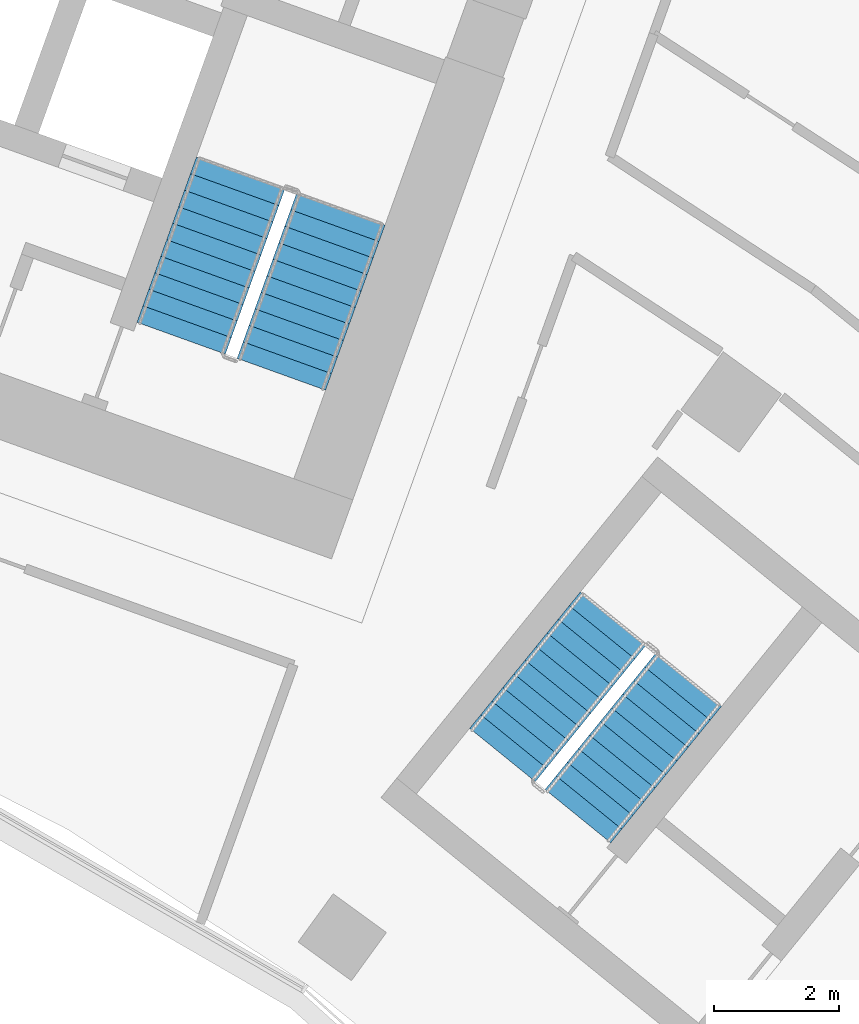
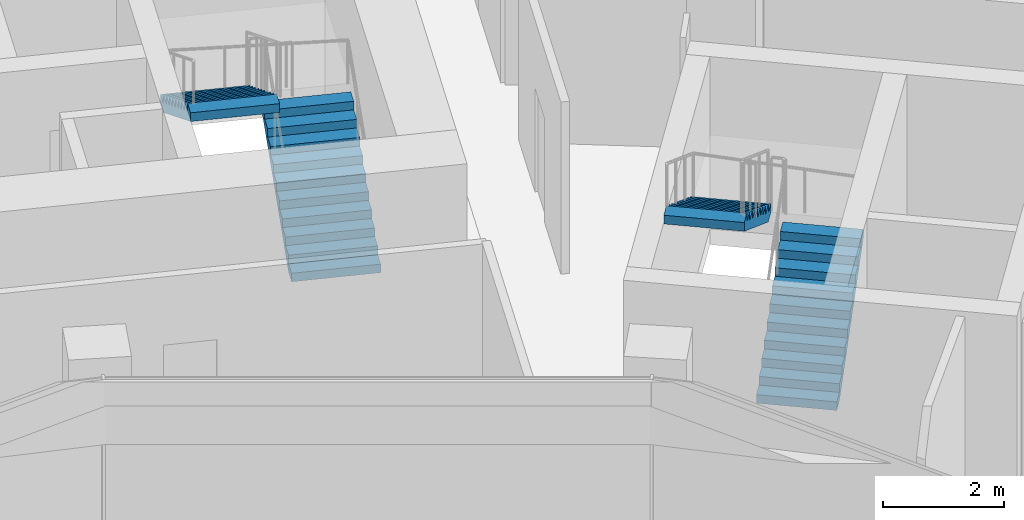
# One storey, part 18 of 20: 4 stair flights, 2 elements without a shape of their own.
"""IFC4 building model written with IfcOpenShell, lengths in metres."""

import ifcopenshell
import ifcopenshell.guid

model = None  # the IFC model being written
_history = None  # IfcOwnerHistory: only IFC2X3 demands one
_inside = {}  # id of a spatial element -> (the spatial element, [elements in it])
_under = {}  # id of a project, library or spatial element -> (it, [spatial elements below it])
_declared = {}  # id of a project -> (the project, [libraries it declares])
_typed = {}  # id of a type object -> (the type object, [elements of that type])
_made_of = {}  # id of a material, layer set ... -> (it, [elements and type objects made of it])


def new_model(schema):
    """Start an empty IFC model of exactly this schema.

    Asked for "IFC4X3", IfcOpenShell would pick the latest addendum, in which some entities
    have other attributes; the version numbers below select the first issue.
    IFC2X3 requires an IfcOwnerHistory on every rooted entity: one is made here for all.
    """
    global model, _history
    if schema == "IFC4X3":
        model = ifcopenshell.file(schema_version=(4, 3, 0, 0))
    else:
        model = ifcopenshell.file(schema=schema)
    _inside.clear()
    _under.clear()
    _declared.clear()
    _typed.clear()
    _made_of.clear()
    _history = None
    if model.schema == "IFC2X3":
        org = make("IfcOrganization", Name="unknown")
        user = make(
            "IfcPersonAndOrganization",
            ThePerson=make("IfcPerson", FamilyName="unknown"),
            TheOrganization=org,
        )
        app = make(
            "IfcApplication",
            ApplicationDeveloper=org,
            Version="unknown",
            ApplicationFullName="unknown",
            ApplicationIdentifier="unknown",
        )
        _history = make(
            "IfcOwnerHistory",
            OwningUser=user,
            OwningApplication=app,
            ChangeAction="ADDED",
            CreationDate=0,
        )
    return model


def make(cls, **values):
    """One entity of the class cls with the attributes given. An attribute that is None is left unset."""
    return model.create_entity(
        cls, **{name: value for name, value in values.items() if value is not None}
    )


def rooted(cls, **values):
    """An entity with a GlobalId (a new one), such as an element, a storey or a relation."""
    return make(cls, GlobalId=ifcopenshell.guid.new(), OwnerHistory=_history, **values)


def si_unit(unit_type, name, prefix=None):
    """IfcSIUnit, for example si_unit("LENGTHUNIT", "METRE", prefix="MILLI")."""
    return make("IfcSIUnit", UnitType=unit_type, Prefix=prefix, Name=name)


def assignment(units):
    """IfcUnitAssignment: the units of a project."""
    return None if units is None else make("IfcUnitAssignment", Units=units)


def point(xyz):
    """IfcCartesianPoint."""
    return None if xyz is None else make("IfcCartesianPoint", Coordinates=xyz)


def direction(xyz):
    """IfcDirection."""
    return None if xyz is None else make("IfcDirection", DirectionRatios=xyz)


def frame(location, z_axis=None, x_axis=None):
    """IfcAxis2Placement3D, a coordinate frame: its origin and axes. An axis left out is left unset."""
    return make(
        "IfcAxis2Placement3D",
        Location=point(location),
        Axis=direction(z_axis),
        RefDirection=direction(x_axis),
    )


def origin():
    """The frame at (0, 0, 0) with its axes left unset."""
    return frame((0.0, 0.0, 0.0))


def place(relative_to, where):
    """IfcLocalPlacement: puts the frame where relative to a parent placement (None: the world)."""
    return make(
        "IfcLocalPlacement", PlacementRelTo=relative_to, RelativePlacement=where
    )


def context(
    kind, dimensions, precision=None, world=None, true_north=None, identifier=None
):
    """IfcGeometricRepresentationContext, for example the 3D "Model" context."""
    return make(
        "IfcGeometricRepresentationContext",
        ContextIdentifier=identifier,
        ContextType=kind,
        CoordinateSpaceDimension=dimensions,
        Precision=precision,
        WorldCoordinateSystem=world,
        TrueNorth=true_north,
    )


def subcontext(parent, identifier, kind, view, scale=None):
    """IfcGeometricRepresentationSubContext, for example "Body" below "Model"."""
    return make(
        "IfcGeometricRepresentationSubContext",
        ContextIdentifier=identifier,
        ContextType=kind,
        ParentContext=parent,
        TargetScale=scale,
        TargetView=view,
    )


def project(units=None, contexts=None):
    """IfcProject with its units and contexts."""
    return rooted(
        "IfcProject",
        Name="project",
        RepresentationContexts=contexts,
        UnitsInContext=assignment(units),
    )


def spatial(cls, under=None, at=None, **own):
    """A site, building, storey or space (cls), placed at a placement, below another one or the project."""
    s = rooted(cls, ObjectPlacement=at, **own)
    if under is not None:
        _under.setdefault(under.id(), (under, []))[1].append(s)
    return s


def polyline(points):
    """IfcPolyline through the points."""
    return make("IfcPolyline", Points=[point(p) for p in points])


def outline(outer, holes=None, kind="AREA"):
    """IfcArbitraryClosedProfileDef: a profile drawn as a closed curve; with holes, ...WithVoids."""
    if holes is None:
        return make("IfcArbitraryClosedProfileDef", ProfileType=kind, OuterCurve=outer)
    return make(
        "IfcArbitraryProfileDefWithVoids",
        ProfileType=kind,
        OuterCurve=outer,
        InnerCurves=holes,
    )


def extrude(swept, where, along, depth):
    """IfcExtrudedAreaSolid: the profile swept, set in the frame where, extruded along a direction by depth."""
    return make(
        "IfcExtrudedAreaSolid",
        SweptArea=swept,
        Position=where,
        ExtrudedDirection=direction(along),
        Depth=depth,
    )


def shape(context_of_items, identifier, shape_type, items):
    """IfcShapeRepresentation: the items that make up one representation, for example the "Body"."""
    return make(
        "IfcShapeRepresentation",
        ContextOfItems=context_of_items,
        RepresentationIdentifier=identifier,
        RepresentationType=shape_type,
        Items=items,
    )


def material(Name=None, Category=None):
    """IfcMaterial."""
    return make("IfcMaterial", Name=Name, Category=Category)


def made_of(thing, what):
    """Note that an element or type object is made of a material, layer set ...; save() writes the relation."""
    if what is not None:
        _made_of.setdefault(what.id(), (what, []))[1].append(thing)
    return thing


def type_object(cls, material=None, **own):
    """A type object (cls), such as IfcWallType, which elements share."""
    return made_of(rooted(cls, **own), material)


def element(
    cls,
    number,
    at=None,
    inside=None,
    cuts=None,
    type_object=None,
    material=None,
    context=None,
    identifier="Body",
    shape_type=None,
    held_by="IfcProductDefinitionShape",
    body=None,
    shapes=None,
    **own,
):
    """One element of the class cls, such as IfcWall. Its Tag is "e" and its number.

    at: its placement. inside: the storey or other place that contains it. cuts: it is an
    opening in that element (IfcRelVoidsElement). A single representation is given by context,
    identifier, shape_type and body (its items); several are given by shapes. held_by: the class
    of the entity that holds the representations. save() writes the other relations.
    """
    e = rooted(cls, Tag="e%d" % number, ObjectPlacement=at, **own)
    if body is not None:
        shapes = [shape(context, identifier, shape_type, body)]
    if shapes is not None:
        e.Representation = make(held_by, Representations=shapes)
    if inside is not None:
        _inside.setdefault(inside.id(), (inside, []))[1].append(e)
    if cuts is not None:
        rooted(
            "IfcRelVoidsElement", RelatingBuildingElement=cuts, RelatedOpeningElement=e
        )
    if type_object is not None:
        _typed.setdefault(type_object.id(), (type_object, []))[1].append(e)
    return made_of(e, material)


def aggregate(whole, parts):
    """IfcRelAggregates: a whole, such as a stair, and the parts it consists of."""
    return rooted("IfcRelAggregates", RelatingObject=whole, RelatedObjects=parts)


def save(model, path):
    """Write the relations noted so far, then the file.

    IfcRelAggregates (storeys below a building ...), IfcRelContainedInSpatialStructure (elements
    in a storey), IfcRelDefinesByType, IfcRelAssociatesMaterial and IfcRelDeclares: one each for
    every whole, place, type object, material and project.
    """
    for whole, parts in _under.values():
        aggregate(whole, parts)
    for where, things in _inside.values():
        rooted(
            "IfcRelContainedInSpatialStructure",
            RelatedElements=things,
            RelatingStructure=where,
        )
    for kind, things in _typed.values():
        rooted("IfcRelDefinesByType", RelatedObjects=things, RelatingType=kind)
    for what, things in _made_of.values():
        rooted("IfcRelAssociatesMaterial", RelatedObjects=things, RelatingMaterial=what)
    for by, libraries in _declared.values():
        rooted("IfcRelDeclares", RelatingContext=by, RelatedDefinitions=libraries)
    model.write(path)


model = new_model("IFC4")

# Units and contexts
model_context = context("Model", 3, precision=1e-05, world=origin(), true_north=direction((0.0, 1.0)))
body_context = subcontext(model_context, "Body", "Model", "MODEL_VIEW")
ifc_project = project(units=[si_unit("LENGTHUNIT", "METRE"), si_unit("AREAUNIT", "SQUARE_METRE"), si_unit("VOLUMEUNIT", "CUBIC_METRE"), si_unit("PLANEANGLEUNIT", "RADIAN"), si_unit("MASSUNIT", "GRAM", prefix="KILO")], contexts=[model_context])

# Site, building, storey
site_placement = place(None, origin())
site = spatial("IfcSite", under=ifc_project, at=site_placement, CompositionType="ELEMENT")
building_placement = place(site_placement, origin())
building = spatial("IfcBuilding", under=site, at=building_placement, Name="Stone Belt Terrace Tower", CompositionType="ELEMENT")
storey_placement = place(building_placement, frame((0.0, 0.0, 216.199951171875)))
storey = spatial("IfcBuildingStorey", under=building, at=storey_placement, Name="L52", CompositionType="ELEMENT", Elevation=216.199951171875)

# Stair, stair flights
ifc_material = material(Name="Concrete B40", Category="concrete")
stair_type = type_object("IfcStairType", Name="Exit stair 1500", PredefinedType="HALF_TURN_STAIR", material=ifc_material)
stair_1_placement = place(storey_placement, origin())
stair_1 = element("IfcStair", 1, at=stair_1_placement, inside=storey, type_object=stair_type, Name="L52 Exit stair 1 core B", PredefinedType="HALF_TURN_STAIR")
stair_flight_type = type_object("IfcStairFlightType", Name="Stair flight 1500", PredefinedType="STRAIGHT", material=ifc_material)
stair_flight_1_placement = place(storey_placement, frame((25.15283203125, 44.9375, 0.0), z_axis=(0.0, 0.0, 1.0), x_axis=(0.338624396177, 0.940921632398, 0.0)))
stair_flight_1 = element("IfcStairFlight", 2, at=stair_flight_1_placement, type_object=stair_flight_type, Name="ST1B flight 1", NumberOfRisers=11, NumberOfTreads=10, PredefinedType="STRAIGHT", RiserHeight=0.172727273, TreadLength=0.28, context=body_context, shape_type="SweptSolid", body=[
    extrude(outline(polyline([(0.0, 0.0), (0.0, 0.172607421875), (0.280029296875, 0.172607421875), (0.280029296875, 0.345458984375), (0.56005859375, 0.345458984375), (0.56005859375, 0.51806640625), (0.840087890625, 0.51806640625), (0.840087890625, 0.69091796875), (1.1201171875, 0.69091796875), (1.1201171875, 0.863525390625), (1.39990234375, 0.863525390625), (1.39990234375, 1.036376953125), (1.679931640625, 1.036376953125), (1.679931640625, 1.208984375), (1.9599609375, 1.208984375), (1.9599609375, 1.3818359375), (2.239990234375, 1.3818359375), (2.239990234375, 1.554443359375), (2.52001953125, 1.554443359375), (2.52001953125, 1.727294921875), (2.800048828125, 1.727294921875), (2.800048828125, 1.89990234375), (2.800048828125, 1.551025390625), (0.285400390625, 0.0), (0.0, 0.0)])), frame((0.0, 0.75, 0.0), z_axis=(0.0, -1.0, 0.0), x_axis=(1.0, 0.0, 0.0)), (0.0, 0.0, 1.0), 1.5),
])
stair_flight_2_placement = place(storey_placement, frame((24.50146484375, 48.147705078125, 1.900146484375), z_axis=(0.0, 0.0, 1.0), x_axis=(-0.338624396177, -0.940921632398, 0.0)))
stair_flight_2 = element("IfcStairFlight", 3, at=stair_flight_2_placement, type_object=stair_flight_type, Name="ST1B flight 2", NumberOfRisers=11, NumberOfTreads=10, PredefinedType="STRAIGHT", RiserHeight=0.172727273, TreadLength=0.28, context=body_context, shape_type="SweptSolid", body=[
    extrude(outline(polyline([(0.0, 0.0), (0.0, 0.172607421875), (0.280029296875, 0.172607421875), (0.280029296875, 0.345458984375), (0.56005859375, 0.345458984375), (0.56005859375, 0.51806640625), (0.840087890625, 0.51806640625), (0.840087890625, 0.69091796875), (1.1201171875, 0.69091796875), (1.1201171875, 0.863525390625), (1.39990234375, 0.863525390625), (1.39990234375, 1.036376953125), (1.679931640625, 1.036376953125), (1.679931640625, 1.208984375), (1.9599609375, 1.208984375), (1.9599609375, 1.3818359375), (2.239990234375, 1.3818359375), (2.239990234375, 1.554443359375), (2.52001953125, 1.554443359375), (2.52001953125, 1.727294921875), (2.800048828125, 1.727294921875), (2.800048828125, 1.89990234375), (2.800048828125, 1.551025390625), (0.285400390625, 0.0), (0.0, 0.0)])), frame((0.0, 0.75, 0.0), z_axis=(0.0, -1.0, 0.0), x_axis=(1.0, 0.0, 0.0)), (0.0, 0.0, 1.0), 1.5),
])
aggregate(stair_1, [stair_flight_1, stair_flight_2])

stair_2_placement = place(storey_placement, origin())
stair_2 = element("IfcStair", 4, at=stair_2_placement, inside=storey, type_object=stair_type, Name="L52 Exit stair 3B", PredefinedType="HALF_TURN_STAIR")
stair_flight_3_placement = place(storey_placement, frame((29.88330078125, 37.887939453125, 0.0), z_axis=(0.0, 0.0, 1.0), x_axis=(0.630205749599, 0.776428176441, 0.0)))
stair_flight_3 = element("IfcStairFlight", 5, at=stair_flight_3_placement, type_object=stair_flight_type, Name="ST3B flight 1", NumberOfRisers=11, NumberOfTreads=10, PredefinedType="STRAIGHT", RiserHeight=0.172727273, TreadLength=0.28, context=body_context, shape_type="SweptSolid", body=[
    extrude(outline(polyline([(0.0, 0.0), (0.0, 0.172607421875), (0.280029296875, 0.172607421875), (0.280029296875, 0.345458984375), (0.56005859375, 0.345458984375), (0.56005859375, 0.51806640625), (0.840087890625, 0.51806640625), (0.840087890625, 0.69091796875), (1.1201171875, 0.69091796875), (1.1201171875, 0.863525390625), (1.39990234375, 0.863525390625), (1.39990234375, 1.036376953125), (1.679931640625, 1.036376953125), (1.679931640625, 1.208984375), (1.9599609375, 1.208984375), (1.9599609375, 1.3818359375), (2.239990234375, 1.3818359375), (2.239990234375, 1.554443359375), (2.52001953125, 1.554443359375), (2.52001953125, 1.727294921875), (2.800048828125, 1.727294921875), (2.800048828125, 1.89990234375), (2.800048828125, 1.551025390625), (0.285400390625, 0.0), (0.0, 0.0)])), frame((0.0, 0.675048828125, 0.0), z_axis=(0.0, -1.0, 0.0), x_axis=(1.0, 0.0, 0.0)), (0.0, 0.0, 1.0), 1.35009765625),
])
stair_flight_4_placement = place(storey_placement, frame((30.4443359375, 41.038818359375, 1.900146484375), z_axis=(0.0, 0.0, 1.0), x_axis=(-0.630205749599, -0.776428176441, 0.0)))
stair_flight_4 = element("IfcStairFlight", 6, at=stair_flight_4_placement, type_object=stair_flight_type, Name="ST3B flight 2", NumberOfRisers=11, NumberOfTreads=10, PredefinedType="STRAIGHT", RiserHeight=0.172727273, TreadLength=0.28, context=body_context, shape_type="SweptSolid", body=[
    extrude(outline(polyline([(0.0, 0.0), (0.0, 0.172607421875), (0.280029296875, 0.172607421875), (0.280029296875, 0.345458984375), (0.56005859375, 0.345458984375), (0.56005859375, 0.51806640625), (0.840087890625, 0.51806640625), (0.840087890625, 0.69091796875), (1.1201171875, 0.69091796875), (1.1201171875, 0.863525390625), (1.39990234375, 0.863525390625), (1.39990234375, 1.036376953125), (1.679931640625, 1.036376953125), (1.679931640625, 1.208984375), (1.9599609375, 1.208984375), (1.9599609375, 1.3818359375), (2.239990234375, 1.3818359375), (2.239990234375, 1.554443359375), (2.52001953125, 1.554443359375), (2.52001953125, 1.727294921875), (2.800048828125, 1.727294921875), (2.800048828125, 1.89990234375), (2.800048828125, 1.551025390625), (0.285400390625, 0.0), (0.0, 0.0)])), frame((0.0, 0.675048828125, 0.0), z_axis=(0.0, -1.0, 0.0), x_axis=(1.0, 0.0, 0.0)), (0.0, 0.0, 1.0), 1.35009765625),
])
aggregate(stair_2, [stair_flight_3, stair_flight_4])

save(model, "model.ifc")
